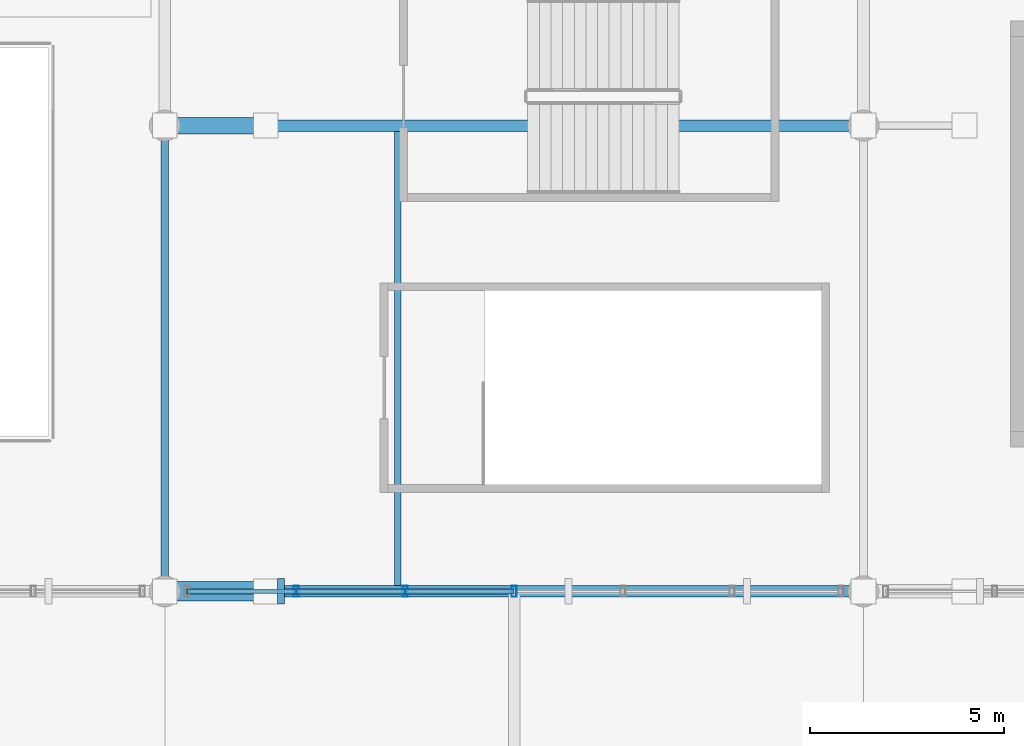
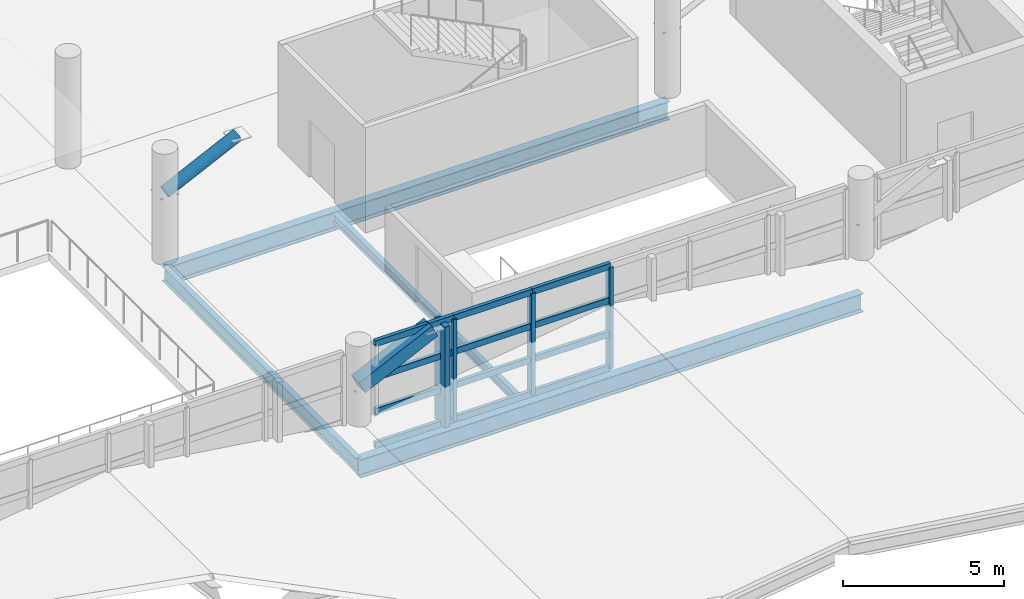
# One storey, part 11 of 136: 18 members, 4 beams, 1 element without a shape of its own.
"""IFC4 building model written with IfcOpenShell, lengths in metres."""

from ifc_helpers import new_model, si_unit, direction, frame, origin, origin_2d, place, context, subcontext, project, spatial, rectangle, hollow_rectangle, hollow_circle, i_section, extrude, material, material_profile, profile_set, type_object, element, aggregate, save


model = new_model("IFC4")

# Units and contexts
model_context = context("Model", 3, precision=1e-05, world=origin(), true_north=direction((0.0, 1.0)))
body_context = subcontext(model_context, "Body", "Model", "MODEL_VIEW")
ifc_project = project(units=[si_unit("LENGTHUNIT", "METRE"), si_unit("AREAUNIT", "SQUARE_METRE"), si_unit("VOLUMEUNIT", "CUBIC_METRE"), si_unit("PLANEANGLEUNIT", "RADIAN"), si_unit("MASSUNIT", "GRAM", prefix="KILO")], contexts=[model_context])

# Site, building, storey
site_placement = place(None, origin())
site = spatial("IfcSite", under=ifc_project, at=site_placement, CompositionType="ELEMENT")
building_placement = place(site_placement, origin())
building = spatial("IfcBuilding", under=site, at=building_placement, Name="Chuanluo Vaults Station", CompositionType="ELEMENT")
storey_placement = place(building_placement, frame((0.0, 0.0, 6.60009765625)))
storey = spatial("IfcBuildingStorey", under=building, at=storey_placement, Name="L01", CompositionType="ELEMENT", Elevation=6.60009765625)

# Beams
ifc_material_1 = material(Name="Steel Q355C", Category="steel")
ifc_material_profile_1 = material_profile(ifc_material_1, i_section(OverallWidth=0.199951171875, OverallDepth=0.550048828125, WebThickness=0.010009765625, FlangeThickness=0.01611328125, FilletRadius=0.01806640625, at=origin_2d()))
ifc_profile_set_1 = profile_set([ifc_material_profile_1], Name="Steel Q355C")
beam_type_1 = type_object("IfcBeamType", Name="BM-GRD-550", PredefinedType="USERDEFINED", material=ifc_profile_set_1)
beam_1_placement = place(storey_placement, frame((54.0, 18.0, -0.55517578125), z_axis=(0.0, 1.0, 0.0), x_axis=(-1.0, 0.0, 0.0)))
element("IfcBeam", 1, at=beam_1_placement, inside=storey, type_object=beam_type_1, Name="Floor girder BM:GY:L01:0426", ObjectType="GIRDER", PredefinedType="USERDEFINED", context=body_context, shape_type="SweptSolid", body=[
    extrude(i_section(OverallWidth=0.199951171875, OverallDepth=0.550048828125, WebThickness=0.010009765625, FlangeThickness=0.01611328125, FilletRadius=0.01806640625, at=origin_2d()), origin(), (0.0, 0.0, 1.0), 12.0),
])
ifc_material_2 = material(Name="Steel Q355C", Category="steel")
ifc_material_profile_2 = material_profile(ifc_material_2, i_section(OverallWidth=0.300048828125, OverallDepth=0.699951171875, WebThickness=0.012939453125, FlangeThickness=0.02392578125, FilletRadius=0.02197265625, at=origin_2d()))
ifc_profile_set_2 = profile_set([ifc_material_profile_2], Name="Steel Q355C")
beam_type_2 = type_object("IfcBeamType", Name="BM-GRD-700", PredefinedType="USERDEFINED", material=ifc_profile_set_2)
for number, where, z_axis, x_axis, name in (
    (2, (54.0, 18.0, -0.630126953125), (1.0, 0.0, 0.0), (0.0, 1.0, 0.0), "Floor girder BM:GX:L01:0294"),
    (3, (54.0, 30.0, -0.630126953125), (1.0, 0.0, 0.0), (0.0, 1.0, 0.0), "Floor girder BM:GX:L01:0303"),
):
    element("IfcBeam", number, at=place(storey_placement, frame(where, z_axis=z_axis, x_axis=x_axis)), inside=storey, type_object=beam_type_2, Name=name, ObjectType="GIRDER", PredefinedType="USERDEFINED", context=body_context, shape_type="SweptSolid", body=[
        extrude(i_section(OverallWidth=0.300048828125, OverallDepth=0.699951171875, WebThickness=0.012939453125, FlangeThickness=0.02392578125, FilletRadius=0.02197265625, at=origin_2d()), origin(), (0.0, 0.0, 1.0), 18.0),
    ])
ifc_material_3 = material(Name="Steel Q355C", Category="steel")
ifc_material_profile_3 = material_profile(ifc_material_3, i_section(OverallWidth=0.175048828125, OverallDepth=0.35009765625, WebThickness=0.007080078125, FlangeThickness=0.010986328125, FilletRadius=0.013916015625, at=origin_2d()))
ifc_profile_set_3 = profile_set([ifc_material_profile_3], Name="Steel Q355C")
beam_type_3 = type_object("IfcBeamType", Name="BM-SEC-350", PredefinedType="JOIST", material=ifc_profile_set_3)
beam_2_placement = place(storey_placement, frame((60.0, 18.155029296875, -0.455078125), z_axis=(0.0, 1.0, 0.0), x_axis=(-1.0, 0.0, 0.0)))
element("IfcBeam", 4, at=beam_2_placement, inside=storey, type_object=beam_type_3, Name="Composite secondary joist 0122", PredefinedType="JOIST", context=body_context, shape_type="SweptSolid", body=[
    extrude(i_section(OverallWidth=0.175048828125, OverallDepth=0.35009765625, WebThickness=0.007080078125, FlangeThickness=0.010986328125, FilletRadius=0.013916015625, at=origin_2d()), origin(), (0.0, 0.0, 1.0), 11.68994140625),
])

# Curtain wall, members
ifc_material_4 = material(Name="Anodised aluminium 6063-T6", Category="aluminium")
curtain_wall_type = type_object("IfcCurtainWallType", Name="CW-SYS-14", PredefinedType="NOTDEFINED", material=ifc_material_4)
curtain_wall_placement = place(storey_placement, origin())
curtain_wall = element("IfcCurtainWall", 5, at=curtain_wall_placement, inside=storey, type_object=curtain_wall_type, Name="Concourse V4 south facade CW", PredefinedType="NOTDEFINED")
ifc_material_5 = material(Name="Anodised aluminium 6063-T6", Category="aluminium")
ifc_material_profile_4 = material_profile(ifc_material_5, hollow_rectangle(XDim=0.1298828125, YDim=0.280029296875, WallThickness=0.007080078125, at=origin_2d()))
ifc_profile_set_4 = profile_set([ifc_material_profile_4], Name="Anodised aluminium 6063-T6")
member_type_1 = type_object("IfcMemberType", Name="CWM-180", PredefinedType="MULLION", material=ifc_profile_set_4)
member_1_placement = place(storey_placement, frame((63.0, 18.0, 0.0), z_axis=(0.0, 0.0, 1.0), x_axis=(-1.0, 0.0, 0.0)))
member_1 = element("IfcMember", 6, at=member_1_placement, type_object=member_type_1, Name="Concourse V4 south facade CW mullion 4", PredefinedType="MULLION", context=body_context, shape_type="SweptSolid", body=[
    extrude(hollow_rectangle(XDim=0.1298828125, YDim=0.280029296875, WallThickness=0.007080078125, at=origin_2d()), origin(), (0.0, 0.0, 1.0), 3.849853515625),
])
member_2_placement = place(storey_placement, frame((60.191650390625, 18.0, 0.0), z_axis=(0.0, 0.0, 1.0), x_axis=(-1.0, 0.0, 0.0)))
member_2 = element("IfcMember", 7, at=member_2_placement, type_object=member_type_1, Name="Concourse V4 south facade CW mullion 5", PredefinedType="MULLION", context=body_context, shape_type="SweptSolid", body=[
    extrude(hollow_rectangle(XDim=0.1298828125, YDim=0.280029296875, WallThickness=0.007080078125, at=origin_2d()), origin(), (0.0, 0.0, 1.0), 3.849853515625),
])
member_3_placement = place(storey_placement, frame((57.38330078125, 18.0, 0.0), z_axis=(0.0, 0.0, 1.0), x_axis=(-1.0, 0.0, 0.0)))
member_3 = element("IfcMember", 8, at=member_3_placement, type_object=member_type_1, Name="Concourse V4 south facade CW mullion 6", PredefinedType="MULLION", context=body_context, shape_type="SweptSolid", body=[
    extrude(hollow_rectangle(XDim=0.1298828125, YDim=0.280029296875, WallThickness=0.007080078125, at=origin_2d()), origin(), (0.0, 0.0, 1.0), 3.849853515625),
])
ifc_material_6 = material(Name="Anodised aluminium 6063-T6", Category="aluminium")
ifc_material_profile_5 = material_profile(ifc_material_6, hollow_rectangle(XDim=0.1298828125, YDim=0.22998046875, WallThickness=0.006103515625, at=origin_2d()))
ifc_profile_set_5 = profile_set([ifc_material_profile_5], Name="Anodised aluminium 6063-T6")
member_type_2 = type_object("IfcMemberType", Name="CWT-150", PredefinedType="USERDEFINED", material=ifc_profile_set_5)
member_4_placement = place(storey_placement, frame((63.0, 18.0, 0.0), z_axis=(-1.0, 0.0, 0.0), x_axis=(0.0, -1.0, 0.0)))
member_4 = element("IfcMember", 9, at=member_4_placement, type_object=member_type_2, Name="Concourse V4 south facade CW transom 4.1", ObjectType="TRANSOM", PredefinedType="USERDEFINED", context=body_context, shape_type="SweptSolid", body=[
    extrude(hollow_rectangle(XDim=0.1298828125, YDim=0.22998046875, WallThickness=0.006103515625, at=origin_2d()), origin(), (0.0, 0.0, 1.0), 2.808349609375),
])
member_5_placement = place(storey_placement, frame((63.0, 18.0, 1.283203125), z_axis=(-1.0, 0.0, 0.0), x_axis=(0.0, -1.0, 0.0)))
member_5 = element("IfcMember", 10, at=member_5_placement, type_object=member_type_2, Name="Concourse V4 south facade CW transom 4.2", ObjectType="TRANSOM", PredefinedType="USERDEFINED", context=body_context, shape_type="SweptSolid", body=[
    extrude(hollow_rectangle(XDim=0.1298828125, YDim=0.22998046875, WallThickness=0.006103515625, at=origin_2d()), origin(), (0.0, 0.0, 1.0), 2.808349609375),
])
member_6_placement = place(storey_placement, frame((63.0, 18.0, 2.566650390625), z_axis=(-1.0, 0.0, 0.0), x_axis=(0.0, -1.0, 0.0)))
member_6 = element("IfcMember", 11, at=member_6_placement, type_object=member_type_2, Name="Concourse V4 south facade CW transom 4.3", ObjectType="TRANSOM", PredefinedType="USERDEFINED", context=body_context, shape_type="SweptSolid", body=[
    extrude(hollow_rectangle(XDim=0.1298828125, YDim=0.22998046875, WallThickness=0.006103515625, at=origin_2d()), origin(), (0.0, 0.0, 1.0), 2.808349609375),
])
member_7_placement = place(storey_placement, frame((63.0, 18.0, 3.849853515625), z_axis=(-1.0, 0.0, 0.0), x_axis=(0.0, -1.0, 0.0)))
member_7 = element("IfcMember", 12, at=member_7_placement, type_object=member_type_2, Name="Concourse V4 south facade CW transom 4.4", ObjectType="TRANSOM", PredefinedType="USERDEFINED", context=body_context, shape_type="SweptSolid", body=[
    extrude(hollow_rectangle(XDim=0.1298828125, YDim=0.22998046875, WallThickness=0.006103515625, at=origin_2d()), origin(), (0.0, 0.0, 1.0), 2.808349609375),
])
member_8_placement = place(storey_placement, frame((60.191650390625, 18.0, 0.0), z_axis=(-1.0, 0.0, 0.0), x_axis=(0.0, -1.0, 0.0)))
member_8 = element("IfcMember", 13, at=member_8_placement, type_object=member_type_2, Name="Concourse V4 south facade CW transom 5.1", ObjectType="TRANSOM", PredefinedType="USERDEFINED", context=body_context, shape_type="SweptSolid", body=[
    extrude(hollow_rectangle(XDim=0.1298828125, YDim=0.22998046875, WallThickness=0.006103515625, at=origin_2d()), origin(), (0.0, 0.0, 1.0), 2.808349609375),
])
member_9_placement = place(storey_placement, frame((60.191650390625, 18.0, 1.283203125), z_axis=(-1.0, 0.0, 0.0), x_axis=(0.0, -1.0, 0.0)))
member_9 = element("IfcMember", 14, at=member_9_placement, type_object=member_type_2, Name="Concourse V4 south facade CW transom 5.2", ObjectType="TRANSOM", PredefinedType="USERDEFINED", context=body_context, shape_type="SweptSolid", body=[
    extrude(hollow_rectangle(XDim=0.1298828125, YDim=0.22998046875, WallThickness=0.006103515625, at=origin_2d()), origin(), (0.0, 0.0, 1.0), 2.808349609375),
])
member_10_placement = place(storey_placement, frame((60.191650390625, 18.0, 2.566650390625), z_axis=(-1.0, 0.0, 0.0), x_axis=(0.0, -1.0, 0.0)))
member_10 = element("IfcMember", 15, at=member_10_placement, type_object=member_type_2, Name="Concourse V4 south facade CW transom 5.3", ObjectType="TRANSOM", PredefinedType="USERDEFINED", context=body_context, shape_type="SweptSolid", body=[
    extrude(hollow_rectangle(XDim=0.1298828125, YDim=0.22998046875, WallThickness=0.006103515625, at=origin_2d()), origin(), (0.0, 0.0, 1.0), 2.808349609375),
])
member_11_placement = place(storey_placement, frame((60.191650390625, 18.0, 3.849853515625), z_axis=(-1.0, 0.0, 0.0), x_axis=(0.0, -1.0, 0.0)))
member_11 = element("IfcMember", 16, at=member_11_placement, type_object=member_type_2, Name="Concourse V4 south facade CW transom 5.4", ObjectType="TRANSOM", PredefinedType="USERDEFINED", context=body_context, shape_type="SweptSolid", body=[
    extrude(hollow_rectangle(XDim=0.1298828125, YDim=0.22998046875, WallThickness=0.006103515625, at=origin_2d()), origin(), (0.0, 0.0, 1.0), 2.808349609375),
])
member_12_placement = place(storey_placement, frame((57.38330078125, 18.0, 0.0), z_axis=(-1.0, 0.0, 0.0), x_axis=(0.0, -1.0, 0.0)))
member_12 = element("IfcMember", 17, at=member_12_placement, type_object=member_type_2, Name="Concourse V4 south facade CW transom 6.1", ObjectType="TRANSOM", PredefinedType="USERDEFINED", context=body_context, shape_type="SweptSolid", body=[
    extrude(hollow_rectangle(XDim=0.1298828125, YDim=0.22998046875, WallThickness=0.006103515625, at=origin_2d()), origin(), (0.0, 0.0, 1.0), 2.808349609375),
])
member_13_placement = place(storey_placement, frame((57.38330078125, 18.0, 1.283203125), z_axis=(-1.0, 0.0, 0.0), x_axis=(0.0, -1.0, 0.0)))
member_13 = element("IfcMember", 18, at=member_13_placement, type_object=member_type_2, Name="Concourse V4 south facade CW transom 6.2", ObjectType="TRANSOM", PredefinedType="USERDEFINED", context=body_context, shape_type="SweptSolid", body=[
    extrude(hollow_rectangle(XDim=0.1298828125, YDim=0.22998046875, WallThickness=0.006103515625, at=origin_2d()), origin(), (0.0, 0.0, 1.0), 2.808349609375),
])
member_14_placement = place(storey_placement, frame((57.38330078125, 18.0, 2.566650390625), z_axis=(-1.0, 0.0, 0.0), x_axis=(0.0, -1.0, 0.0)))
member_14 = element("IfcMember", 19, at=member_14_placement, type_object=member_type_2, Name="Concourse V4 south facade CW transom 6.3", ObjectType="TRANSOM", PredefinedType="USERDEFINED", context=body_context, shape_type="SweptSolid", body=[
    extrude(hollow_rectangle(XDim=0.1298828125, YDim=0.22998046875, WallThickness=0.006103515625, at=origin_2d()), origin(), (0.0, 0.0, 1.0), 2.808349609375),
])
member_15_placement = place(storey_placement, frame((57.38330078125, 18.0, 3.849853515625), z_axis=(-1.0, 0.0, 0.0), x_axis=(0.0, -1.0, 0.0)))
member_15 = element("IfcMember", 20, at=member_15_placement, type_object=member_type_2, Name="Concourse V4 south facade CW transom 6.4", ObjectType="TRANSOM", PredefinedType="USERDEFINED", context=body_context, shape_type="SweptSolid", body=[
    extrude(hollow_rectangle(XDim=0.1298828125, YDim=0.22998046875, WallThickness=0.006103515625, at=origin_2d()), origin(), (0.0, 0.0, 1.0), 2.808349609375),
])
aggregate(curtain_wall, [member_1, member_2, member_3, member_4, member_5, member_6, member_7, member_8, member_9, member_10, member_11, member_12, member_13, member_14, member_15])

# Members
ifc_material_7 = material(Name="Steel Q390C", Category="steel")
ifc_material_profile_6 = material_profile(ifc_material_7, hollow_rectangle(XDim=0.5, YDim=0.5, WallThickness=0.02197265625, at=origin_2d()))
ifc_profile_set_6 = profile_set([ifc_material_profile_6], Name="Steel Q390C")
member_type_3 = type_object("IfcMemberType", Name="MEM-BOX-500", PredefinedType="CHORD", material=ifc_profile_set_6)
member_16_placement = place(storey_placement, frame((54.0, 18.0, 2.5), z_axis=(0.901258779583, 0.0, 0.4332812161), x_axis=(0.0, 1.0, 0.0)))
element("IfcMember", 21, at=member_16_placement, inside=storey, type_object=member_type_3, Name="Concourse gallery knee strut 03", PredefinedType="CHORD", context=body_context, shape_type="SweptSolid", body=[
    extrude(hollow_rectangle(XDim=0.5, YDim=0.5, WallThickness=0.02197265625, at=origin_2d()), origin(), (0.0, 0.0, 1.0), 2.885009765625),
])
ifc_material_8 = material(Name="Steel Q355C", Category="steel")
ifc_material_profile_7 = material_profile(ifc_material_8, hollow_circle(Radius=0.212890625, WallThickness=0.01611328125, at=origin_2d()))
ifc_profile_set_7 = profile_set([ifc_material_profile_7], Name="Steel Q355C")
member_type_4 = type_object("IfcMemberType", Name="MEM-CHS-426", PredefinedType="STRUT", material=ifc_profile_set_7)
member_17_placement = place(storey_placement, frame((54.0, 30.0, 2.5), z_axis=(0.901258779583, 0.0, 0.4332812161), x_axis=(0.0, 1.0, 0.0)))
element("IfcMember", 22, at=member_17_placement, inside=storey, type_object=member_type_4, Name="Concourse gallery knee strut 07", PredefinedType="STRUT", context=body_context, shape_type="SweptSolid", body=[
    extrude(hollow_circle(Radius=0.212890625, WallThickness=0.01611328125, at=origin_2d()), origin(), (0.0, 0.0, 1.0), 2.885009765625),
])
ifc_material_9 = material(Name="Concrete C50", Category="concrete")
ifc_material_profile_8 = material_profile(ifc_material_9, rectangle(XDim=0.179931640625, YDim=0.64990234375, at=origin_2d()))
ifc_profile_set_8 = profile_set([ifc_material_profile_8], Name="Concrete C50")
member_type_5 = type_object("IfcMemberType", Name="MEM-FIN-CONC", PredefinedType="USERDEFINED", material=ifc_profile_set_8)
member_18_placement = place(storey_placement, frame((57.0, 18.0, 0.0), z_axis=(0.0, 0.0, 1.0), x_axis=(1.0, 0.0, 0.0)))
element("IfcMember", 23, at=member_18_placement, inside=storey, type_object=member_type_5, Name="Concourse vertical sun-fin 07", ObjectType="MULLION_FIN", PredefinedType="USERDEFINED", context=body_context, shape_type="SweptSolid", body=[
    extrude(rectangle(XDim=0.179931640625, YDim=0.64990234375, at=origin_2d()), origin(), (0.0, 0.0, 1.0), 3.81982421875),
])

save(model, "model.ifc")
